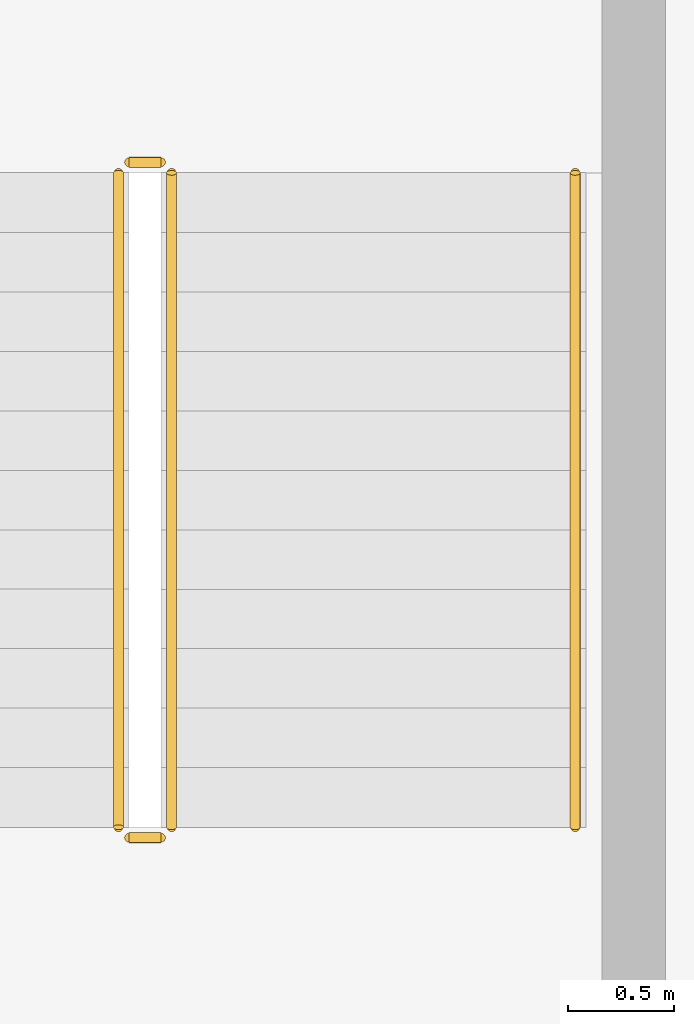
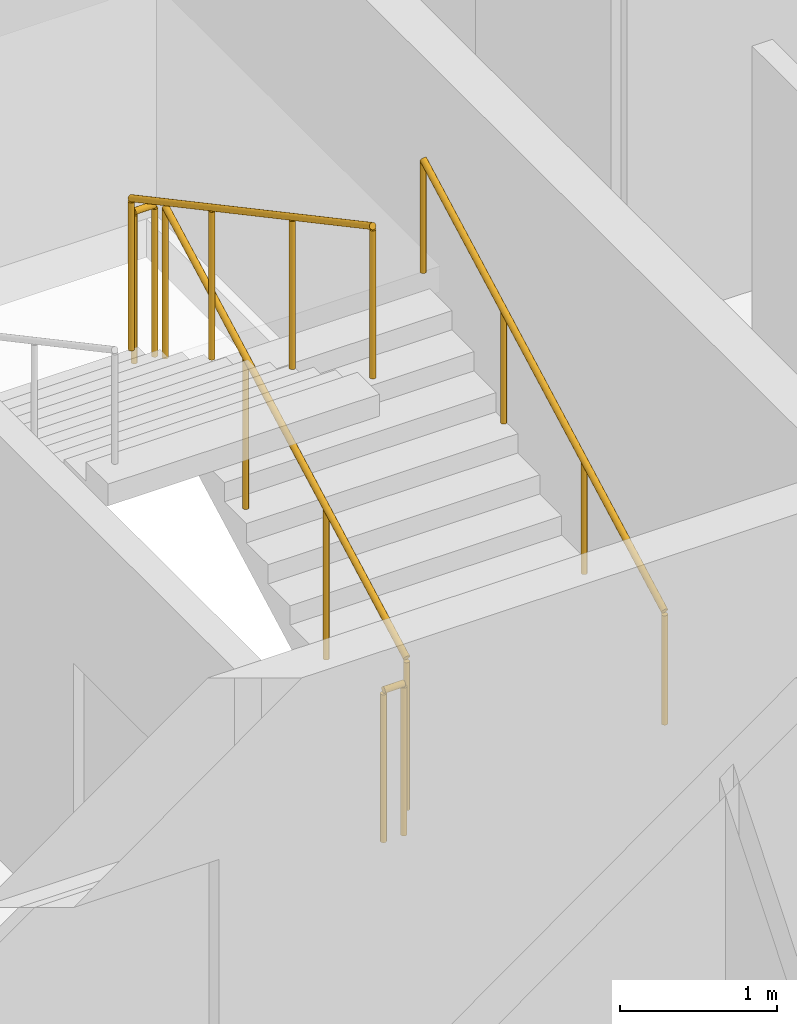
# One storey, part 17 of 17: 5 railings.
"""IFC4 building model written with IfcOpenShell, lengths in metres."""

from ifc_helpers import new_model, si_unit, direction, frame, origin, origin_2d, place, context, subcontext, project, spatial, circle, extrude, material, type_object, element, save


model = new_model("IFC4")

# Units and contexts
model_context = context("Model", 3, precision=1e-05, world=origin(), true_north=direction((0.0, 1.0)))
body_context = subcontext(model_context, "Body", "Model", "MODEL_VIEW")
ifc_project = project(units=[si_unit("LENGTHUNIT", "METRE"), si_unit("AREAUNIT", "SQUARE_METRE"), si_unit("VOLUMEUNIT", "CUBIC_METRE"), si_unit("PLANEANGLEUNIT", "RADIAN"), si_unit("MASSUNIT", "GRAM", prefix="KILO")], contexts=[model_context])

# Site, building, storey
site_placement = place(None, origin())
site = spatial("IfcSite", under=ifc_project, at=site_placement, CompositionType="ELEMENT")
building_placement = place(site_placement, origin())
building = spatial("IfcBuilding", under=site, at=building_placement, Name="Caravel Reach Hotel and Residences", CompositionType="ELEMENT")
storey_placement = place(building_placement, frame((0.0, 0.0, 126.0)))
storey = spatial("IfcBuildingStorey", under=building, at=storey_placement, Name="L31", CompositionType="ELEMENT", Elevation=126.0)

# Railings
ifc_material_1 = material(Name="Steel balustrade with glass infill", Category="steel")
railing_type_1 = type_object("IfcRailingType", Name="Guard 1200", PredefinedType="GUARDRAIL", material=ifc_material_1)
railing_1_placement = place(storey_placement, frame((42.824951171875, 24.64990234375, 0.14990234375)))
element("IfcRailing", 1, at=railing_1_placement, inside=storey, type_object=railing_type_1, Name="L31 ST-B stair guard 1", PredefinedType="GUARDRAIL", context=body_context, shape_type="SweptSolid", body=[
    extrude(circle(Radius=0.02392578125, at=origin_2d()), frame((0.0, 0.0, 1.17578125), z_axis=(0.0, 0.881467505477, 0.472244678941), x_axis=(-1.0, 0.0, 0.0)), (0.0, 0.0, 1.0), 3.494140625),
    extrude(circle(Radius=0.02099609375, at=origin_2d()), origin(), (0.0, 0.0, 1.0), 1.15185546875),
    extrude(circle(Radius=0.02099609375, at=origin_2d()), frame((0.0, 1.026611328125, 0.550048828125)), (0.0, 0.0, 1.0), 1.15185546875),
    extrude(circle(Radius=0.02099609375, at=origin_2d()), frame((0.0, 2.053466796875, 1.10009765625)), (0.0, 0.0, 1.0), 1.15185546875),
    extrude(circle(Radius=0.02099609375, at=origin_2d()), frame((0.0, 3.080078125, 1.650146484375)), (0.0, 0.0, 1.0), 1.15185546875),
])
railing_2_placement = place(storey_placement, frame((42.77490234375, 27.780029296875, 1.800048828125)))
element("IfcRailing", 2, at=railing_2_placement, inside=storey, type_object=railing_type_1, Name="L31 ST-B stair guard 2", PredefinedType="GUARDRAIL", context=body_context, shape_type="SweptSolid", body=[
    extrude(circle(Radius=0.02392578125, at=origin_2d()), frame((0.0, 0.0, 1.17578125), z_axis=(-1.0, 0.0, 0.0), x_axis=(0.0, -1.0, 0.0)), (0.0, 0.0, 1.0), 0.14990234375),
    extrude(circle(Radius=0.02099609375, at=origin_2d()), origin(), (0.0, 0.0, 1.0), 1.15185546875),
    extrude(circle(Radius=0.02099609375, at=origin_2d()), frame((-0.14990234375, 0.0, 0.0)), (0.0, 0.0, 1.0), 1.15185546875),
])
railing_3_placement = place(storey_placement, frame((42.574951171875, 27.72998046875, 1.949951171875)))
element("IfcRailing", 3, at=railing_3_placement, inside=storey, type_object=railing_type_1, Name="L31 ST-B stair guard 3", PredefinedType="GUARDRAIL", context=body_context, shape_type="SweptSolid", body=[
    extrude(circle(Radius=0.02392578125, at=origin_2d()), frame((0.0, 0.0, 1.17578125), z_axis=(0.0, -0.881467505477, 0.472244678941), x_axis=(1.0, 0.0, 0.0)), (0.0, 0.0, 1.0), 3.494140625),
    extrude(circle(Radius=0.02099609375, at=origin_2d()), origin(), (0.0, 0.0, 1.0), 1.15185546875),
    extrude(circle(Radius=0.02099609375, at=origin_2d()), frame((0.0, -1.026611328125, 0.550048828125)), (0.0, 0.0, 1.0), 1.15185546875),
    extrude(circle(Radius=0.02099609375, at=origin_2d()), frame((0.0, -2.053466796875, 1.10009765625)), (0.0, 0.0, 1.0), 1.15185546875),
    extrude(circle(Radius=0.02099609375, at=origin_2d()), frame((0.0, -3.080078125, 1.650146484375)), (0.0, 0.0, 1.0), 1.15185546875),
])
railing_4_placement = place(storey_placement, frame((42.77490234375, 24.60009765625, 0.0)))
element("IfcRailing", 4, at=railing_4_placement, inside=storey, type_object=railing_type_1, Name="L31 ST-B stair guard 4", PredefinedType="GUARDRAIL", context=body_context, shape_type="SweptSolid", body=[
    extrude(circle(Radius=0.02392578125, at=origin_2d()), frame((0.0, 0.0, 1.17578125), z_axis=(-1.0, 0.0, 0.0), x_axis=(0.0, -1.0, 0.0)), (0.0, 0.0, 1.0), 0.14990234375),
    extrude(circle(Radius=0.02099609375, at=origin_2d()), origin(), (0.0, 0.0, 1.0), 1.15185546875),
    extrude(circle(Radius=0.02099609375, at=origin_2d()), frame((-0.14990234375, 0.0, 0.0)), (0.0, 0.0, 1.0), 1.15185546875),
])
ifc_material_2 = material(Name="Stainless steel handrail", Category="steel")
railing_type_2 = type_object("IfcRailingType", Name="Handrail 900", PredefinedType="HANDRAIL", material=ifc_material_2)
railing_5_placement = place(storey_placement, frame((44.72509765625, 24.64990234375, 0.14990234375)))
element("IfcRailing", 5, at=railing_5_placement, inside=storey, type_object=railing_type_2, Name="L31 ST-B stair handrail 1", PredefinedType="HANDRAIL", context=body_context, shape_type="SweptSolid", body=[
    extrude(circle(Radius=0.02392578125, at=origin_2d()), frame((0.0, 0.0, 0.8759765625), z_axis=(0.0, 0.881467505477, 0.472244678941), x_axis=(-1.0, 0.0, 0.0)), (0.0, 0.0, 1.0), 3.494140625),
    extrude(circle(Radius=0.02099609375, at=origin_2d()), origin(), (0.0, 0.0, 1.0), 0.851806640625),
    extrude(circle(Radius=0.02099609375, at=origin_2d()), frame((0.0, 1.026611328125, 0.550048828125)), (0.0, 0.0, 1.0), 0.851806640625),
    extrude(circle(Radius=0.02099609375, at=origin_2d()), frame((0.0, 2.053466796875, 1.10009765625)), (0.0, 0.0, 1.0), 0.851806640625),
    extrude(circle(Radius=0.02099609375, at=origin_2d()), frame((0.0, 3.080078125, 1.650146484375)), (0.0, 0.0, 1.0), 0.851806640625),
])

save(model, "model.ifc")
